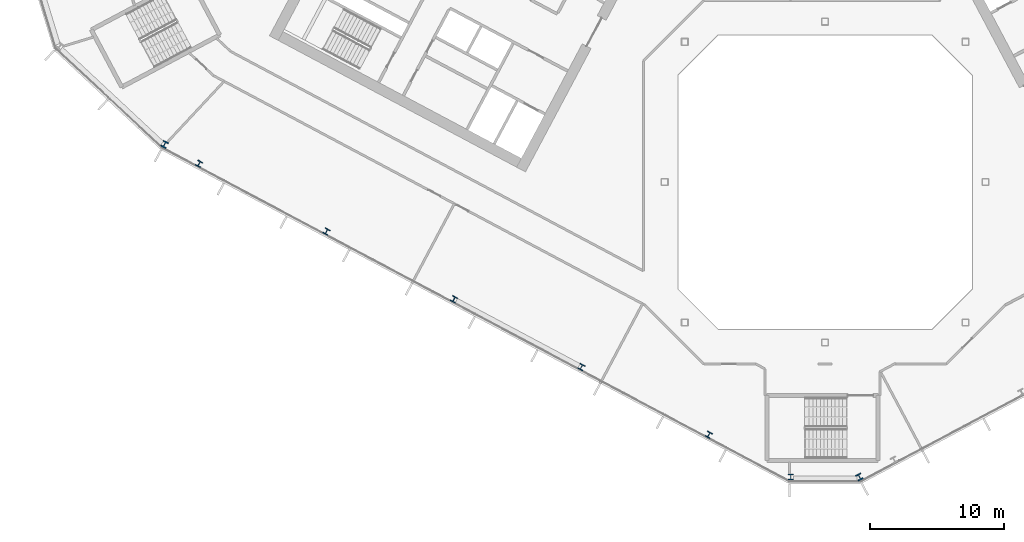
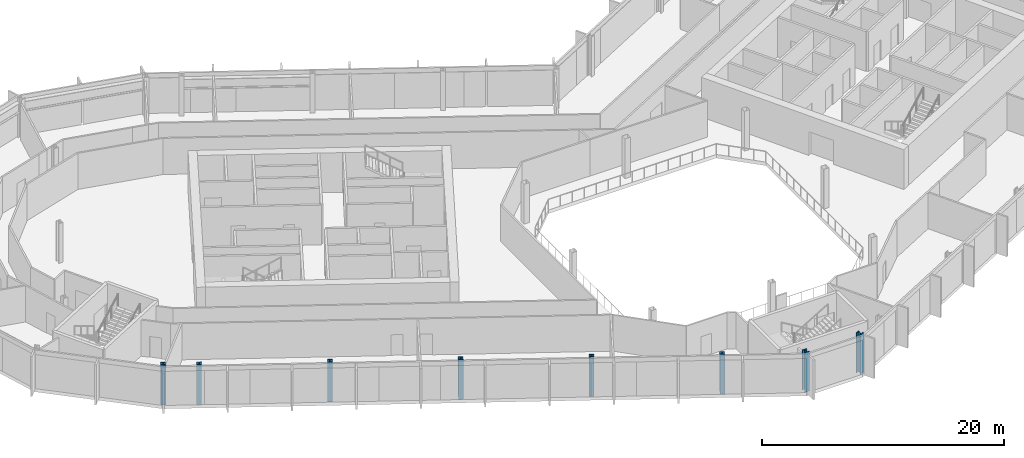
# One storey, part 1 of 28: 8 columns.
"""IFC4 building model written with IfcOpenShell, lengths in metres."""

from ifc_helpers import new_model, si_unit, direction, frame, origin, origin_2d, place, context, subcontext, project, spatial, i_section, extrude, material, material_profile, profile_set, type_object, element, save


model = new_model("IFC4")

# Units and contexts
model_context = context("Model", 3, precision=1e-05, world=origin(), true_north=direction((0.0, 1.0)))
body_context = subcontext(model_context, "Body", "Model", "MODEL_VIEW")
ifc_project = project(units=[si_unit("LENGTHUNIT", "METRE"), si_unit("AREAUNIT", "SQUARE_METRE"), si_unit("VOLUMEUNIT", "CUBIC_METRE"), si_unit("PLANEANGLEUNIT", "RADIAN"), si_unit("MASSUNIT", "GRAM", prefix="KILO")], contexts=[model_context])

# Site, building, storey
site_placement = place(None, origin())
site = spatial("IfcSite", under=ifc_project, at=site_placement, CompositionType="ELEMENT")
building_placement = place(site_placement, origin())
building = spatial("IfcBuilding", under=site, at=building_placement, Name="Cormorant Relay Tower", CompositionType="ELEMENT")
storey_placement = place(building_placement, frame((0.0, 0.0, 162.199951171875)))
storey = spatial("IfcBuildingStorey", under=building, at=storey_placement, Name="L34", CompositionType="ELEMENT", Elevation=162.199951171875)

# Columns
ifc_material_1 = material(Name="Steel ASTM A992 (Fy 345 MPa)", Category="steel")
ifc_material_profile_1 = material_profile(ifc_material_1, i_section(OverallWidth=0.41162109375, OverallDepth=0.434326171875, WebThickness=0.035888671875, FlangeThickness=0.057373046875, FilletRadius=0.01513671875, at=origin_2d()), Name="W360x463")
ifc_profile_set_1 = profile_set([ifc_material_profile_1], Name="Steel ASTM A992 (Fy 345 MPa)")
column_type_1 = type_object("IfcColumnType", Name="Column W360x463", PredefinedType="COLUMN", material=ifc_profile_set_1)
for number, where, z_axis, x_axis, name in (
    (1, (-8.696044921875, -18.910888671875, 0.0), (0.0, 0.0, 1.0), (0.882947592859, -0.469471562786, 0.0), "Column L34-004"),
    (2, (-18.23193359375, -13.841064453125, 0.0), (0.0, 0.0, 1.0), (0.882947592859, -0.469471562786, 0.0), "Column L34-006"),
    (3, (-27.76806640625, -8.77001953125, 0.0), (0.0, 0.0, 1.0), (0.882947592859, -0.469471562786, 0.0), "Column L34-011"),
    (4, (-37.303955078125, -3.699951171875, 0.0), (0.0, 0.0, 1.0), (0.882947592859, -0.469471562786, 0.0), "Column L34-013"),
    (5, (-46.839111328125, 1.3701171875, 0.0), (0.0, 0.0, 1.0), (0.882947592859, -0.469471562786, 0.0), "Column L34-018"),
):
    element("IfcColumn", number, at=place(storey_placement, frame(where, z_axis=z_axis, x_axis=x_axis)), inside=storey, type_object=column_type_1, Name=name, PredefinedType="COLUMN", context=body_context, shape_type="SweptSolid", body=[
        extrude(i_section(OverallWidth=0.41162109375, OverallDepth=0.434326171875, WebThickness=0.035888671875, FlangeThickness=0.057373046875, FilletRadius=0.01513671875, at=origin_2d()), origin(), (0.0, 0.0, 1.0), 4.0),
    ])
ifc_material_2 = material(Name="Steel ASTM A992 (Fy 345 MPa)", Category="steel")
ifc_material_profile_2 = material_profile(ifc_material_2, i_section(OverallWidth=0.42431640625, OverallDepth=0.47509765625, WebThickness=0.0478515625, FlangeThickness=0.0771484375, FilletRadius=0.014892578125, at=origin_2d()), Name="W360x634")
ifc_profile_set_2 = profile_set([ifc_material_profile_2], Name="Steel ASTM A992 (Fy 345 MPa)")
column_type_2 = type_object("IfcColumnType", Name="Column W360x634", PredefinedType="COLUMN", material=ifc_profile_set_2)
for number, where, z_axis, x_axis, name in (
    (6, (-2.571044921875, -22.06494140625, 0.0), (0.0, 0.0, 1.0), (1.0, 0.0, 0.0), "Column L34-001"),
    (7, (2.571044921875, -22.06494140625, 0.0), (0.0, 0.0, 1.0), (0.882947592859, 0.469471562786, 0.0), "Column L34-002"),
    (8, (-49.423095703125, 2.820068359375, 0.0), (0.0, 0.0, 1.0), (0.882947592859, -0.469471562786, 0.0), "Column L34-019"),
):
    element("IfcColumn", number, at=place(storey_placement, frame(where, z_axis=z_axis, x_axis=x_axis)), inside=storey, type_object=column_type_2, Name=name, PredefinedType="COLUMN", context=body_context, shape_type="SweptSolid", body=[
        extrude(i_section(OverallWidth=0.42431640625, OverallDepth=0.47509765625, WebThickness=0.0478515625, FlangeThickness=0.0771484375, FilletRadius=0.014892578125, at=origin_2d()), origin(), (0.0, 0.0, 1.0), 4.0),
    ])

save(model, "model.ifc")
